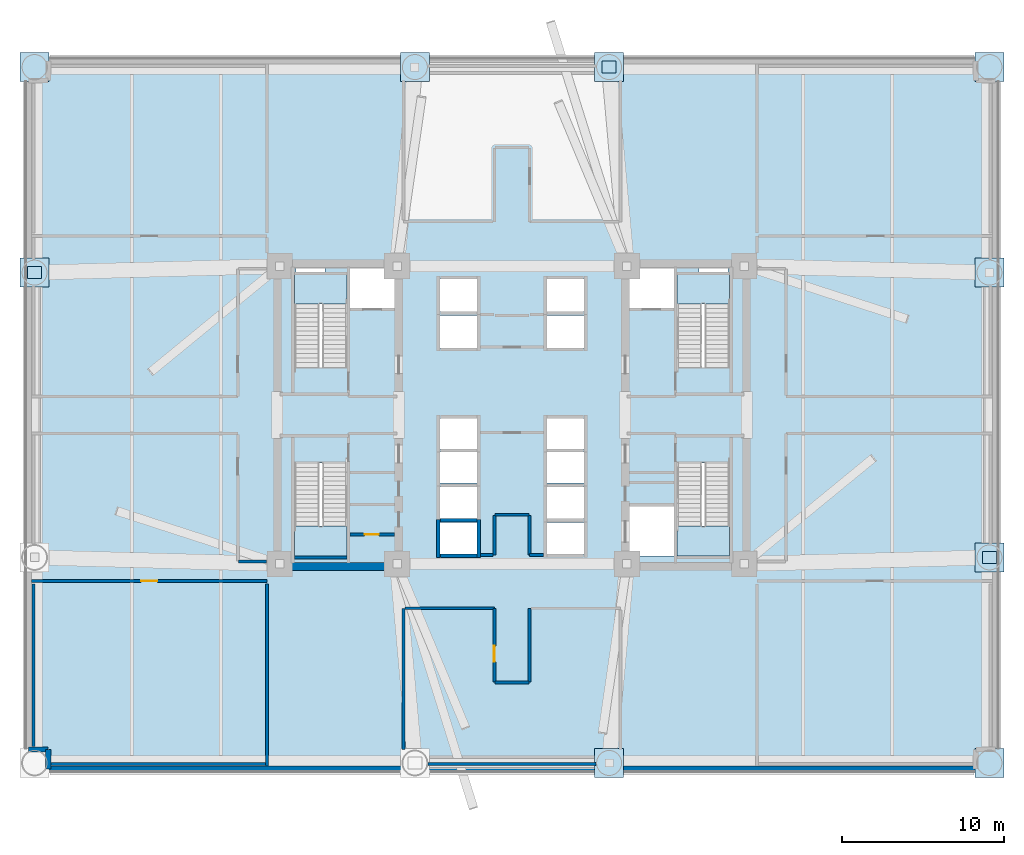
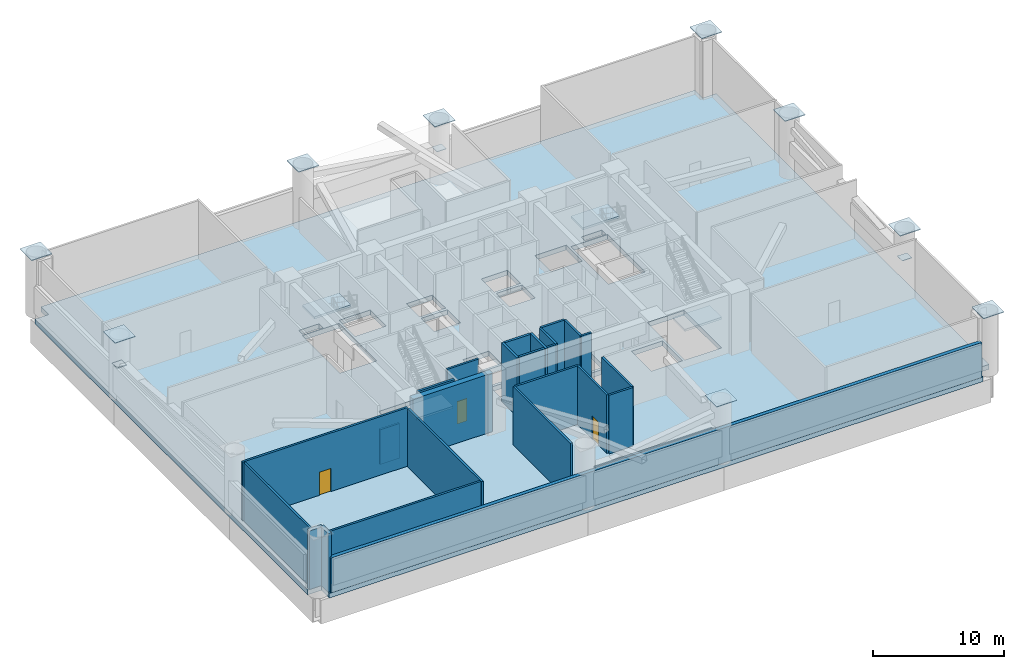
# One storey, part 2 of 10: 26 walls, 12 plates, 5 slabs, 3 doors, 3 openings, 4 elements without a shape of their own.
"""IFC4 building model written with IfcOpenShell, lengths in metres."""

import ifcopenshell
import ifcopenshell.guid

model = None  # the IFC model being written
_history = None  # IfcOwnerHistory: only IFC2X3 demands one
_inside = {}  # id of a spatial element -> (the spatial element, [elements in it])
_under = {}  # id of a project, library or spatial element -> (it, [spatial elements below it])
_declared = {}  # id of a project -> (the project, [libraries it declares])
_typed = {}  # id of a type object -> (the type object, [elements of that type])
_made_of = {}  # id of a material, layer set ... -> (it, [elements and type objects made of it])


def new_model(schema):
    """Start an empty IFC model of exactly this schema.

    Asked for "IFC4X3", IfcOpenShell would pick the latest addendum, in which some entities
    have other attributes; the version numbers below select the first issue.
    IFC2X3 requires an IfcOwnerHistory on every rooted entity: one is made here for all.
    """
    global model, _history
    if schema == "IFC4X3":
        model = ifcopenshell.file(schema_version=(4, 3, 0, 0))
    else:
        model = ifcopenshell.file(schema=schema)
    _inside.clear()
    _under.clear()
    _declared.clear()
    _typed.clear()
    _made_of.clear()
    _history = None
    if model.schema == "IFC2X3":
        org = make("IfcOrganization", Name="unknown")
        user = make(
            "IfcPersonAndOrganization",
            ThePerson=make("IfcPerson", FamilyName="unknown"),
            TheOrganization=org,
        )
        app = make(
            "IfcApplication",
            ApplicationDeveloper=org,
            Version="unknown",
            ApplicationFullName="unknown",
            ApplicationIdentifier="unknown",
        )
        _history = make(
            "IfcOwnerHistory",
            OwningUser=user,
            OwningApplication=app,
            ChangeAction="ADDED",
            CreationDate=0,
        )
    return model


def make(cls, **values):
    """One entity of the class cls with the attributes given. An attribute that is None is left unset."""
    return model.create_entity(
        cls, **{name: value for name, value in values.items() if value is not None}
    )


def rooted(cls, **values):
    """An entity with a GlobalId (a new one), such as an element, a storey or a relation."""
    return make(cls, GlobalId=ifcopenshell.guid.new(), OwnerHistory=_history, **values)


def si_unit(unit_type, name, prefix=None):
    """IfcSIUnit, for example si_unit("LENGTHUNIT", "METRE", prefix="MILLI")."""
    return make("IfcSIUnit", UnitType=unit_type, Prefix=prefix, Name=name)


def assignment(units):
    """IfcUnitAssignment: the units of a project."""
    return None if units is None else make("IfcUnitAssignment", Units=units)


def point(xyz):
    """IfcCartesianPoint."""
    return None if xyz is None else make("IfcCartesianPoint", Coordinates=xyz)


def direction(xyz):
    """IfcDirection."""
    return None if xyz is None else make("IfcDirection", DirectionRatios=xyz)


def frame(location, z_axis=None, x_axis=None):
    """IfcAxis2Placement3D, a coordinate frame: its origin and axes. An axis left out is left unset."""
    return make(
        "IfcAxis2Placement3D",
        Location=point(location),
        Axis=direction(z_axis),
        RefDirection=direction(x_axis),
    )


def frame_2d(location, x_axis=None):
    """IfcAxis2Placement2D, a coordinate frame in the plane: its origin and x axis."""
    return make(
        "IfcAxis2Placement2D", Location=point(location), RefDirection=direction(x_axis)
    )


def origin():
    """The frame at (0, 0, 0) with its axes left unset."""
    return frame((0.0, 0.0, 0.0))


def origin_2d():
    """The frame at (0, 0) in the plane with its x axis left unset."""
    return frame_2d((0.0, 0.0))


def place(relative_to, where):
    """IfcLocalPlacement: puts the frame where relative to a parent placement (None: the world)."""
    return make(
        "IfcLocalPlacement", PlacementRelTo=relative_to, RelativePlacement=where
    )


def context(
    kind, dimensions, precision=None, world=None, true_north=None, identifier=None
):
    """IfcGeometricRepresentationContext, for example the 3D "Model" context."""
    return make(
        "IfcGeometricRepresentationContext",
        ContextIdentifier=identifier,
        ContextType=kind,
        CoordinateSpaceDimension=dimensions,
        Precision=precision,
        WorldCoordinateSystem=world,
        TrueNorth=true_north,
    )


def subcontext(parent, identifier, kind, view, scale=None):
    """IfcGeometricRepresentationSubContext, for example "Body" below "Model"."""
    return make(
        "IfcGeometricRepresentationSubContext",
        ContextIdentifier=identifier,
        ContextType=kind,
        ParentContext=parent,
        TargetScale=scale,
        TargetView=view,
    )


def project(units=None, contexts=None):
    """IfcProject with its units and contexts."""
    return rooted(
        "IfcProject",
        Name="project",
        RepresentationContexts=contexts,
        UnitsInContext=assignment(units),
    )


def spatial(cls, under=None, at=None, **own):
    """A site, building, storey or space (cls), placed at a placement, below another one or the project."""
    s = rooted(cls, ObjectPlacement=at, **own)
    if under is not None:
        _under.setdefault(under.id(), (under, []))[1].append(s)
    return s


def polyline(points):
    """IfcPolyline through the points."""
    return make("IfcPolyline", Points=[point(p) for p in points])


def profile(cls, at=None, kind="AREA", **sizes):
    """A parametric profile (cls). Its sizes go by their IFC names, for example OverallWidth=200.0."""
    return make(cls, ProfileType=kind, Position=at, **sizes)


def rectangle(**sizes):
    """IfcRectangleProfileDef."""
    return profile("IfcRectangleProfileDef", **sizes)


def outline(outer, holes=None, kind="AREA"):
    """IfcArbitraryClosedProfileDef: a profile drawn as a closed curve; with holes, ...WithVoids."""
    if holes is None:
        return make("IfcArbitraryClosedProfileDef", ProfileType=kind, OuterCurve=outer)
    return make(
        "IfcArbitraryProfileDefWithVoids",
        ProfileType=kind,
        OuterCurve=outer,
        InnerCurves=holes,
    )


def extrude(swept, where, along, depth):
    """IfcExtrudedAreaSolid: the profile swept, set in the frame where, extruded along a direction by depth."""
    return make(
        "IfcExtrudedAreaSolid",
        SweptArea=swept,
        Position=where,
        ExtrudedDirection=direction(along),
        Depth=depth,
    )


def shape(context_of_items, identifier, shape_type, items):
    """IfcShapeRepresentation: the items that make up one representation, for example the "Body"."""
    return make(
        "IfcShapeRepresentation",
        ContextOfItems=context_of_items,
        RepresentationIdentifier=identifier,
        RepresentationType=shape_type,
        Items=items,
    )


def source(mapping_origin, context_of_items, identifier, shape_type, items):
    """IfcRepresentationMap: a shape defined once, which mapped items show again and again."""
    return make(
        "IfcRepresentationMap",
        MappingOrigin=mapping_origin,
        MappedRepresentation=shape(context_of_items, identifier, shape_type, items),
    )


def transform(
    local_origin,
    x_axis=None,
    y_axis=None,
    z_axis=None,
    scale=None,
    scale2=None,
    scale3=None,
    uniform=True,
):
    """IfcCartesianTransformationOperator3D, or its non-uniform kind. x_axis, y_axis, z_axis: its Axis1, 2, 3."""
    if uniform:
        return make(
            "IfcCartesianTransformationOperator3D",
            Axis1=direction(x_axis),
            Axis2=direction(y_axis),
            LocalOrigin=point(local_origin),
            Scale=scale,
            Axis3=direction(z_axis),
        )
    return make(
        "IfcCartesianTransformationOperator3DnonUniform",
        Axis1=direction(x_axis),
        Axis2=direction(y_axis),
        LocalOrigin=point(local_origin),
        Scale=scale,
        Axis3=direction(z_axis),
        Scale2=scale2,
        Scale3=scale3,
    )


def mapped(mapping_source, mapping_target):
    """IfcMappedItem: shows the shape of a source again, moved by a transform."""
    return make(
        "IfcMappedItem", MappingSource=mapping_source, MappingTarget=mapping_target
    )


def material(Name=None, Category=None):
    """IfcMaterial."""
    return make("IfcMaterial", Name=Name, Category=Category)


def layer(
    of_material, thickness, ventilated=None, Name=None, Category=None, Priority=None
):
    """IfcMaterialLayer: one layer of a wall or slab, of a material (None: an air gap)."""
    return make(
        "IfcMaterialLayer",
        Material=of_material,
        LayerThickness=thickness,
        IsVentilated=ventilated,
        Name=Name,
        Category=Category,
        Priority=Priority,
    )


def layer_set(layers, Name=None):
    """IfcMaterialLayerSet."""
    return make("IfcMaterialLayerSet", MaterialLayers=layers, LayerSetName=Name)


def made_of(thing, what):
    """Note that an element or type object is made of a material, layer set ...; save() writes the relation."""
    if what is not None:
        _made_of.setdefault(what.id(), (what, []))[1].append(thing)
    return thing


def type_object(cls, material=None, **own):
    """A type object (cls), such as IfcWallType, which elements share."""
    return made_of(rooted(cls, **own), material)


def element(
    cls,
    number,
    at=None,
    inside=None,
    cuts=None,
    type_object=None,
    material=None,
    context=None,
    identifier="Body",
    shape_type=None,
    held_by="IfcProductDefinitionShape",
    body=None,
    shapes=None,
    **own,
):
    """One element of the class cls, such as IfcWall. Its Tag is "e" and its number.

    at: its placement. inside: the storey or other place that contains it. cuts: it is an
    opening in that element (IfcRelVoidsElement). A single representation is given by context,
    identifier, shape_type and body (its items); several are given by shapes. held_by: the class
    of the entity that holds the representations. save() writes the other relations.
    """
    e = rooted(cls, Tag="e%d" % number, ObjectPlacement=at, **own)
    if body is not None:
        shapes = [shape(context, identifier, shape_type, body)]
    if shapes is not None:
        e.Representation = make(held_by, Representations=shapes)
    if inside is not None:
        _inside.setdefault(inside.id(), (inside, []))[1].append(e)
    if cuts is not None:
        rooted(
            "IfcRelVoidsElement", RelatingBuildingElement=cuts, RelatedOpeningElement=e
        )
    if type_object is not None:
        _typed.setdefault(type_object.id(), (type_object, []))[1].append(e)
    return made_of(e, material)


def fill(opening, filler):
    """IfcRelFillsElement: the door or window that sits in an opening."""
    return rooted(
        "IfcRelFillsElement",
        RelatingOpeningElement=opening,
        RelatedBuildingElement=filler,
    )


def aggregate(whole, parts):
    """IfcRelAggregates: a whole, such as a stair, and the parts it consists of."""
    return rooted("IfcRelAggregates", RelatingObject=whole, RelatedObjects=parts)


def save(model, path):
    """Write the relations noted so far, then the file.

    IfcRelAggregates (storeys below a building ...), IfcRelContainedInSpatialStructure (elements
    in a storey), IfcRelDefinesByType, IfcRelAssociatesMaterial and IfcRelDeclares: one each for
    every whole, place, type object, material and project.
    """
    for whole, parts in _under.values():
        aggregate(whole, parts)
    for where, things in _inside.values():
        rooted(
            "IfcRelContainedInSpatialStructure",
            RelatedElements=things,
            RelatingStructure=where,
        )
    for kind, things in _typed.values():
        rooted("IfcRelDefinesByType", RelatedObjects=things, RelatingType=kind)
    for what, things in _made_of.values():
        rooted("IfcRelAssociatesMaterial", RelatedObjects=things, RelatingMaterial=what)
    for by, libraries in _declared.values():
        rooted("IfcRelDeclares", RelatingContext=by, RelatedDefinitions=libraries)
    model.write(path)


model = new_model("IFC4")

# Units and contexts
model_context = context("Model", 3, precision=1e-05, world=origin(), true_north=direction((0.0, 1.0)))
body_context = subcontext(model_context, "Body", "Model", "MODEL_VIEW")
ifc_project = project(units=[si_unit("LENGTHUNIT", "METRE"), si_unit("AREAUNIT", "SQUARE_METRE"), si_unit("VOLUMEUNIT", "CUBIC_METRE"), si_unit("PLANEANGLEUNIT", "RADIAN"), si_unit("MASSUNIT", "GRAM", prefix="KILO")], contexts=[model_context])

# Site, building, storey
site_placement = place(None, origin())
site = spatial("IfcSite", under=ifc_project, at=site_placement, CompositionType="ELEMENT")
building_placement = place(site_placement, origin())
building = spatial("IfcBuilding", under=site, at=building_placement, Name="Zahravan Cultural Tower", CompositionType="ELEMENT")
storey_placement = place(building_placement, frame((0.0, 0.0, 23.39990234375)))
storey = spatial("IfcBuildingStorey", under=building, at=storey_placement, Name="L04", CompositionType="ELEMENT", Elevation=23.39990234375)

# Stair, slab
ifc_material_1 = material(Name="Concrete C45/55", Category="concrete")
stair_type = type_object("IfcStairType", Name="STR-DL-1550-570", PredefinedType="HALF_TURN_STAIR", material=ifc_material_1)
stair_1_placement = place(storey_placement, origin())
stair_1 = element("IfcStair", 1, at=stair_1_placement, inside=storey, type_object=stair_type, Name="L04 West Core North Exit Stair ST-W1", PredefinedType="HALF_TURN_STAIR")
ifc_layer_1 = layer(ifc_material_1, 0.199951171875)
ifc_layer_set_1 = layer_set([ifc_layer_1], Name="Concrete C45/55")
slab_type_1 = type_object("IfcSlabType", Name="SL-STAIR-LND200", PredefinedType="LANDING", material=ifc_layer_set_1)
slab_1_placement = place(storey_placement, frame((0.0, 0.0, 2.650146484375)))
slab_1 = element("IfcSlab", 2, at=slab_1_placement, type_object=slab_type_1, Name="ST-W1 landing 1", PredefinedType="LANDING", context=body_context, shape_type="SweptSolid", body=[
    extrude(outline(polyline([(25.800048828125, 33.8701171875), (25.800048828125, 35.699951171875), (22.550048828125, 35.699951171875), (22.550048828125, 33.8701171875), (25.800048828125, 33.8701171875)])), origin(), (0.0, 0.0, 1.0), 0.199951171875),
])
aggregate(stair_1, [slab_1])

stair_2_placement = place(storey_placement, origin())
stair_2 = element("IfcStair", 3, at=stair_2_placement, inside=storey, type_object=stair_type, Name="L04 West Core South Exit Stair ST-W2", PredefinedType="HALF_TURN_STAIR")
slab_2_placement = place(storey_placement, frame((0.0, 0.0, 2.650146484375)))
slab_2 = element("IfcSlab", 4, at=slab_2_placement, type_object=slab_type_1, Name="ST-W2 landing 1", PredefinedType="LANDING", context=body_context, shape_type="SweptSolid", body=[
    extrude(outline(polyline([(22.550048828125, 20.1298828125), (22.550048828125, 18.300048828125), (25.800048828125, 18.300048828125), (25.800048828125, 20.1298828125), (22.550048828125, 20.1298828125)])), origin(), (0.0, 0.0, 1.0), 0.199951171875),
])
aggregate(stair_2, [slab_2])

stair_3_placement = place(storey_placement, origin())
stair_3 = element("IfcStair", 5, at=stair_3_placement, inside=storey, type_object=stair_type, Name="L04 East Core North Exit Stair ST-E1", PredefinedType="HALF_TURN_STAIR")
slab_3_placement = place(storey_placement, frame((0.0, 0.0, 2.650146484375)))
slab_3 = element("IfcSlab", 6, at=slab_3_placement, type_object=slab_type_1, Name="ST-E1 landing 1", PredefinedType="LANDING", context=body_context, shape_type="SweptSolid", body=[
    extrude(outline(polyline([(49.449951171875, 33.8701171875), (49.449951171875, 35.699951171875), (46.199951171875, 35.699951171875), (46.199951171875, 33.8701171875), (49.449951171875, 33.8701171875)])), origin(), (0.0, 0.0, 1.0), 0.199951171875),
])
aggregate(stair_3, [slab_3])

stair_4_placement = place(storey_placement, origin())
stair_4 = element("IfcStair", 7, at=stair_4_placement, inside=storey, type_object=stair_type, Name="L04 East Core South Exit Stair ST-E2", PredefinedType="HALF_TURN_STAIR")
slab_4_placement = place(storey_placement, frame((0.0, 0.0, 2.650146484375)))
slab_4 = element("IfcSlab", 8, at=slab_4_placement, type_object=slab_type_1, Name="ST-E2 landing 1", PredefinedType="LANDING", context=body_context, shape_type="SweptSolid", body=[
    extrude(outline(polyline([(46.199951171875, 20.1298828125), (46.199951171875, 18.300048828125), (49.449951171875, 18.300048828125), (49.449951171875, 20.1298828125), (46.199951171875, 20.1298828125)])), origin(), (0.0, 0.0, 1.0), 0.199951171875),
])
aggregate(stair_4, [slab_4])

# Slab
ifc_material_2 = material(Name="Concrete C50/60", Category="concrete")
ifc_layer_2 = layer(ifc_material_2, 0.449951171875)
ifc_layer_set_2 = layer_set([ifc_layer_2], Name="Concrete C50/60")
slab_type_2 = type_object("IfcSlabType", Name="SL-TRANS-450", PredefinedType="FLOOR", material=ifc_layer_set_2)
slab_5_placement = place(storey_placement, frame((0.0, 0.0, -0.449951171875)))
element("IfcSlab", 9, at=slab_5_placement, inside=storey, type_object=slab_type_2, Name="L04 Structural Floor Slab", PredefinedType="FLOOR", context=body_context, shape_type="SweptSolid", body=[
    extrude(outline(polyline([(66.0, 47.800048828125), (64.800048828125, 47.800048828125), (64.800048828125, 49.0), (7.199951171875, 49.0), (7.199951171875, 47.800048828125), (6.0, 47.800048828125), (6.0, 6.199951171875), (7.199951171875, 6.199951171875), (7.199951171875, 5.0), (64.800048828125, 5.0), (64.800048828125, 6.199951171875), (66.0, 6.199951171875), (66.0, 47.800048828125)]), holes=[polyline([(22.550048828125, 29.949951171875), (22.550048828125, 35.699951171875), (25.800048828125, 35.699951171875), (25.800048828125, 29.949951171875), (22.550048828125, 29.949951171875)]), polyline([(22.550048828125, 18.300048828125), (22.550048828125, 24.050048828125), (25.800048828125, 24.050048828125), (25.800048828125, 18.300048828125), (22.550048828125, 18.300048828125)]), polyline([(46.199951171875, 29.949951171875), (46.199951171875, 35.699951171875), (49.449951171875, 35.699951171875), (49.449951171875, 29.949951171875), (46.199951171875, 29.949951171875)]), polyline([(46.199951171875, 18.300048828125), (46.199951171875, 24.050048828125), (49.449951171875, 24.050048828125), (49.449951171875, 18.300048828125), (46.199951171875, 18.300048828125)]), polyline([(26.0, 33.60009765625), (26.0, 36.050048828125), (28.75, 36.050048828125), (28.75, 33.60009765625), (26.0, 33.60009765625)]), polyline([(43.25, 33.60009765625), (43.25, 36.050048828125), (46.0, 36.050048828125), (46.0, 33.60009765625), (43.25, 33.60009765625)]), polyline([(43.25, 18.300048828125), (43.25, 21.35009765625), (46.0, 21.35009765625), (46.0, 18.300048828125), (43.25, 18.300048828125)]), polyline([(31.550048828125, 33.39990234375), (31.550048828125, 35.39990234375), (33.85009765625, 35.39990234375), (33.85009765625, 33.39990234375), (31.550048828125, 33.39990234375)]), polyline([(31.550048828125, 31.14990234375), (31.550048828125, 33.14990234375), (33.85009765625, 33.14990234375), (33.85009765625, 31.14990234375), (31.550048828125, 31.14990234375)]), polyline([(38.14990234375, 33.39990234375), (38.14990234375, 35.39990234375), (40.449951171875, 35.39990234375), (40.449951171875, 33.39990234375), (38.14990234375, 33.39990234375)]), polyline([(38.14990234375, 31.14990234375), (38.14990234375, 33.14990234375), (40.449951171875, 33.14990234375), (40.449951171875, 31.14990234375), (38.14990234375, 31.14990234375)]), polyline([(31.550048828125, 20.60009765625), (31.550048828125, 22.550048828125), (33.85009765625, 22.550048828125), (33.85009765625, 20.60009765625), (31.550048828125, 20.60009765625)]), polyline([(31.550048828125, 18.39990234375), (31.550048828125, 20.35009765625), (33.85009765625, 20.35009765625), (33.85009765625, 18.39990234375), (31.550048828125, 18.39990234375)]), polyline([(38.14990234375, 20.60009765625), (38.14990234375, 22.550048828125), (40.449951171875, 22.550048828125), (40.449951171875, 20.60009765625), (38.14990234375, 20.60009765625)]), polyline([(38.14990234375, 18.39990234375), (38.14990234375, 20.35009765625), (40.449951171875, 20.35009765625), (40.449951171875, 18.39990234375), (38.14990234375, 18.39990234375)]), polyline([(31.550048828125, 24.89990234375), (31.550048828125, 26.800048828125), (33.85009765625, 26.800048828125), (33.85009765625, 24.89990234375), (31.550048828125, 24.89990234375)]), polyline([(31.550048828125, 22.800048828125), (31.550048828125, 24.699951171875), (33.85009765625, 24.699951171875), (33.85009765625, 22.800048828125), (31.550048828125, 22.800048828125)]), polyline([(38.14990234375, 24.89990234375), (38.14990234375, 26.800048828125), (40.449951171875, 26.800048828125), (40.449951171875, 24.89990234375), (38.14990234375, 24.89990234375)]), polyline([(38.14990234375, 22.800048828125), (38.14990234375, 24.699951171875), (40.449951171875, 24.699951171875), (40.449951171875, 22.800048828125), (38.14990234375, 22.800048828125)]), polyline([(22.64990234375, 35.800048828125), (22.64990234375, 36.419921875), (24.449951171875, 36.419921875), (24.449951171875, 35.800048828125), (22.64990234375, 35.800048828125)]), polyline([(47.550048828125, 35.800048828125), (47.550048828125, 36.419921875), (49.35009765625, 36.419921875), (49.35009765625, 35.800048828125), (47.550048828125, 35.800048828125)])]), origin(), (0.0, 0.0, 1.0), 0.449951171875),
])

# Plates
ifc_material_3 = material(Name="Steel ASTM A572 Grade 50", Category="steel")
ifc_layer_3 = layer(ifc_material_3, 0.06005859375)
ifc_layer_set_3 = layer_set([ifc_layer_3], Name="Steel ASTM A572 Grade 50")
plate_type_1 = type_object("IfcPlateType", Name="PL-CAP-1800", PredefinedType="SHEET", material=ifc_layer_set_3)
shared_shape_1 = source(origin(), body_context, "Body", "SweptSolid", [
    extrude(rectangle(XDim=1.800048828125, YDim=1.800048828125, at=origin_2d()), origin(), (0.0, 0.0, 1.0), 0.06005859375),
])
for number, where, z_axis, x_axis, name in (
    (10, (42.0, 5.5, 5.670166015625), (0.0, 0.0, 1.0), (1.0, 0.0, 0.0), "L04 Pilotis Column Top Cap Plate PC-03"),
    (11, (65.5, 5.5, 5.670166015625), (0.0, 0.0, 1.0), (1.0, 0.0, 0.0), "L04 Pilotis Column Top Cap Plate PC-04"),
    (12, (65.5, 18.199951171875, 5.670166015625), (0.0, 0.0, 1.0), (1.0, 0.0, 0.0), "L04 Pilotis Column Top Cap Plate PC-06"),
    (13, (6.5, 35.800048828125, 5.670166015625), (0.0, 0.0, 1.0), (1.0, 0.0, 0.0), "L04 Pilotis Column Top Cap Plate PC-07"),
    (14, (65.5, 35.800048828125, 5.670166015625), (0.0, 0.0, 1.0), (1.0, 0.0, 0.0), "L04 Pilotis Column Top Cap Plate PC-08"),
    (15, (6.5, 48.5, 5.670166015625), (0.0, 0.0, 1.0), (1.0, 0.0, 0.0), "L04 Pilotis Column Top Cap Plate PC-09"),
    (16, (30.0, 48.5, 5.670166015625), (0.0, 0.0, 1.0), (1.0, 0.0, 0.0), "L04 Pilotis Column Top Cap Plate PC-10"),
    (17, (42.0, 48.5, 5.670166015625), (0.0, 0.0, 1.0), (1.0, 0.0, 0.0), "L04 Pilotis Column Top Cap Plate PC-11"),
    (18, (65.5, 48.5, 5.670166015625), (0.0, 0.0, 1.0), (1.0, 0.0, 0.0), "L04 Pilotis Column Top Cap Plate PC-12"),
):
    element("IfcPlate", number, at=place(storey_placement, frame(where, z_axis=z_axis, x_axis=x_axis)), inside=storey, type_object=plate_type_1, Name=name, PredefinedType="SHEET", context=body_context, shape_type="MappedRepresentation", body=[
        mapped(shared_shape_1, transform((0.0, 0.0, 0.0), x_axis=(1.0, 0.0, 0.0), y_axis=(0.0, 1.0, 0.0), z_axis=(0.0, 0.0, 1.0), scale=1.0)),
    ])
ifc_layer_4 = layer(ifc_material_3, 0.044921875)
ifc_layer_set_4 = layer_set([ifc_layer_4], Name="Steel ASTM A572 Grade 50")
plate_type_2 = type_object("IfcPlateType", Name="PL-NODE-45", PredefinedType="SHEET", material=ifc_layer_set_4)
shared_shape_2 = source(origin(), body_context, "Body", "SweptSolid", [
    extrude(rectangle(XDim=0.85009765625, YDim=0.75, at=origin_2d()), origin(), (0.0, 0.0, 1.0), 0.044921875),
])
for number, where, z_axis, x_axis, name in (
    (19, (65.5, 18.199951171875, 2.877685546875), (0.0, 0.0, 1.0), (1.0, 0.0, 0.0), "L04 Belt Node Cap Plate ON1"),
    (20, (42.0, 48.5, 2.877685546875), (0.0, 0.0, 1.0), (1.0, 0.0, 0.0), "L04 Belt Node Cap Plate ON1"),
    (21, (6.5, 35.800048828125, 2.877685546875), (0.0, 0.0, 1.0), (1.0, 0.0, 0.0), "L04 Belt Node Cap Plate ON1"),
):
    element("IfcPlate", number, at=place(storey_placement, frame(where, z_axis=z_axis, x_axis=x_axis)), inside=storey, type_object=plate_type_2, Name=name, PredefinedType="SHEET", context=body_context, shape_type="MappedRepresentation", body=[
        mapped(shared_shape_2, transform((0.0, 0.0, 0.0), x_axis=(1.0, 0.0, 0.0), y_axis=(0.0, 1.0, 0.0), z_axis=(0.0, 0.0, 1.0), scale=1.0)),
    ])

# Wall, opening, door
ifc_material_4 = material(Name="Gypsum plasterboard partition")
ifc_layer_5 = layer(ifc_material_4, 0.179931640625)
ifc_layer_set_5 = layer_set([ifc_layer_5], Name="Gypsum plasterboard partition")
wall_type_1 = type_object("IfcWallType", Name="W-COMP-180", PredefinedType="PARTITIONING", material=ifc_layer_set_5)
wall_1_placement = place(storey_placement, frame((26.0, 19.6201171875, 0.0), z_axis=(0.0, 0.0, 1.0), x_axis=(1.0, 0.0, 0.0)))
wall_1 = element("IfcWall", 22, at=wall_1_placement, inside=storey, type_object=wall_type_1, Name="L04 Interior Wall 026", PredefinedType="PARTITIONING", context=body_context, shape_type="SweptSolid", body=[
    extrude(rectangle(XDim=2.75, YDim=0.179931640625, at=frame_2d((1.375, 0.0))), origin(), (0.0, 0.0, 1.0), 5.4501953125),
])
opening_1_placement = place(wall_1_placement, frame((0.89990234375, 0.0, 0.0)))
opening_1 = element("IfcOpeningElement", 23, at=opening_1_placement, cuts=wall_1, Name="Opening D-L04-09", PredefinedType="OPENING", context=body_context, shape_type="SweptSolid", body=[
    extrude(rectangle(XDim=0.8798828125, YDim=2.10009765625, at=frame_2d((0.43994140625, 1.050048828125))), frame((0.0, 0.099853515625, 0.0), z_axis=(0.0, -1.0, 0.0), x_axis=(1.0, 0.0, 0.0)), (0.0, 0.0, 1.0), 0.199951171875),
])
door_type_1 = type_object("IfcDoorType", Name="DR-SVC-880", OperationType="NOTDEFINED", PredefinedType="DOOR", material=ifc_material_3)
shared_shape_3 = source(origin(), body_context, "Body", "SweptSolid", [
    extrude(rectangle(XDim=0.8798828125, YDim=2.10009765625, at=frame_2d((0.43994140625, 1.050048828125))), frame((0.0, 0.02490234375, 0.0), z_axis=(0.0, -1.0, 0.0), x_axis=(1.0, 0.0, 0.0)), (0.0, 0.0, 1.0), 0.050048828125),
])
door_1_placement = place(opening_1_placement, origin())
door_1 = element("IfcDoor", 24, at=door_1_placement, inside=storey, type_object=door_type_1, Name="L04 Door D-L04-09", OperationType="SINGLE_SWING_RIGHT", OverallHeight=2.10009765625, OverallWidth=0.8798828125, PredefinedType="DOOR", context=body_context, shape_type="MappedRepresentation", body=[
    mapped(shared_shape_3, transform((0.0, 0.0, 0.0), x_axis=(1.0, 0.0, 0.0), y_axis=(0.0, 1.0, 0.0), z_axis=(0.0, 0.0, 1.0), scale=1.0)),
])
fill(opening_1, door_1)

wall_2_placement = place(storey_placement, frame((20.860107421875, 16.739990234375, 0.0), z_axis=(0.0, 0.0, 1.0), x_axis=(-1.0, 0.0, 0.0)))
wall_2 = element("IfcWall", 25, at=wall_2_placement, inside=storey, type_object=wall_type_1, Name="L04 Interior Wall 082", PredefinedType="PARTITIONING", context=body_context, shape_type="SweptSolid", body=[
    extrude(rectangle(XDim=14.55517578125, YDim=0.179931640625, at=frame_2d((7.277587890625, 0.0))), origin(), (0.0, 0.0, 1.0), 5.4501953125),
])
opening_2_placement = place(wall_2_placement, frame((6.777587890625, 0.0, 0.0)))
opening_2 = element("IfcOpeningElement", 26, at=opening_2_placement, cuts=wall_2, Name="Opening D-L04-21", PredefinedType="OPENING", context=body_context, shape_type="SweptSolid", body=[
    extrude(rectangle(XDim=1.0, YDim=2.14990234375, at=frame_2d((0.5, 1.074951171875))), frame((0.0, 0.099853515625, 0.0), z_axis=(0.0, -1.0, 0.0), x_axis=(1.0, 0.0, 0.0)), (0.0, 0.0, 1.0), 0.199951171875),
])
door_type_2 = type_object("IfcDoorType", Name="DR-COMP-1000", OperationType="NOTDEFINED", PredefinedType="DOOR", material=ifc_material_3)
shared_shape_4 = source(origin(), body_context, "Body", "SweptSolid", [
    extrude(rectangle(XDim=1.0, YDim=2.14990234375, at=frame_2d((0.5, 1.074951171875))), frame((0.0, 0.02490234375, 0.0), z_axis=(0.0, -1.0, 0.0), x_axis=(1.0, 0.0, 0.0)), (0.0, 0.0, 1.0), 0.050048828125),
])
door_2_placement = place(opening_2_placement, origin())
door_2 = element("IfcDoor", 27, at=door_2_placement, inside=storey, type_object=door_type_2, Name="L04 Door D-L04-21", OperationType="SINGLE_SWING_RIGHT", OverallHeight=2.14990234375, OverallWidth=1.0, PredefinedType="DOOR", context=body_context, shape_type="MappedRepresentation", body=[
    mapped(shared_shape_4, transform((0.0, 0.0, 0.0), x_axis=(1.0, 0.0, 0.0), y_axis=(0.0, 1.0, 0.0), z_axis=(0.0, 0.0, 1.0), scale=1.0)),
])
fill(opening_2, door_2)

wall_3_placement = place(storey_placement, frame((34.909912109375, 15.06005859375, 0.0), z_axis=(0.0, 0.0, 1.0), x_axis=(0.0, -1.0, 0.0)))
wall_3 = element("IfcWall", 28, at=wall_3_placement, inside=storey, type_object=wall_type_1, Name="L04 Interior Wall 099", PredefinedType="PARTITIONING", context=body_context, shape_type="SweptSolid", body=[
    extrude(rectangle(XDim=4.55419921875, YDim=0.179931640625, at=frame_2d((2.277099609375, 0.0))), origin(), (0.0, 0.0, 1.0), 5.4501953125),
])
opening_3_placement = place(wall_3_placement, frame((2.317626953125, 0.0, 0.0)))
opening_3 = element("IfcOpeningElement", 29, at=opening_3_placement, cuts=wall_3, Name="Opening D-L04-14", PredefinedType="OPENING", context=body_context, shape_type="SweptSolid", body=[
    extrude(rectangle(XDim=1.0, YDim=2.14990234375, at=frame_2d((0.5, 1.074951171875))), frame((0.0, 0.099853515625, 0.0), z_axis=(0.0, -1.0, 0.0), x_axis=(1.0, 0.0, 0.0)), (0.0, 0.0, 1.0), 0.199951171875),
])
door_3_placement = place(opening_3_placement, origin())
door_3 = element("IfcDoor", 30, at=door_3_placement, inside=storey, type_object=door_type_2, Name="L04 Door D-L04-14", OperationType="SINGLE_SWING_LEFT", OverallHeight=2.14990234375, OverallWidth=1.0, PredefinedType="DOOR", context=body_context, shape_type="MappedRepresentation", body=[
    mapped(shared_shape_4, transform((0.0, 0.0, 0.0), x_axis=(1.0, 0.0, 0.0), y_axis=(0.0, 1.0, 0.0), z_axis=(0.0, 0.0, 1.0), scale=1.0)),
])
fill(opening_3, door_3)

# Walls
ifc_material_5 = material(Name="Concrete C60/75", Category="concrete")
ifc_layer_6 = layer(ifc_material_5, 0.5)
ifc_layer_set_6 = layer_set([ifc_layer_6], Name="Concrete C60/75")
wall_type_2 = type_object("IfcWallType", Name="CW-SHEAR-500-C60", PredefinedType="SHEAR", material=ifc_layer_set_6)
shared_shape_5 = source(origin(), body_context, "Body", "SweptSolid", [
    extrude(rectangle(XDim=7.0, YDim=0.5, at=frame_2d((3.5, 0.0))), origin(), (0.0, 0.0, 1.0), 5.4501953125),
])
wall_4_placement = place(storey_placement, frame((21.75, 17.64990234375, 0.0), z_axis=(0.0, 0.0, 1.0), x_axis=(1.0, 0.0, 0.0)))
element("IfcWall", 31, at=wall_4_placement, inside=storey, type_object=wall_type_2, Name="L04 Core Shear Wall CW-W-S-L04", PredefinedType="SHEAR", context=body_context, shape_type="MappedRepresentation", body=[
    mapped(shared_shape_5, transform((0.0, 0.0, 0.0), x_axis=(1.0, 0.0, 0.0), y_axis=(0.0, 1.0, 0.0), z_axis=(0.0, 0.0, 1.0), scale=1.0)),
])
ifc_material_6 = material(Name="Precast concrete C40/50", Category="concrete")
ifc_layer_7 = layer(ifc_material_6, 0.320068359375)
ifc_layer_set_7 = layer_set([ifc_layer_7], Name="Precast concrete C40/50")
wall_type_3 = type_object("IfcWallType", Name="EW-TC-320", PredefinedType="SOLIDWALL", material=ifc_layer_set_7)
shared_shape_6 = source(origin(), body_context, "Body", "SweptSolid", [
    extrude(rectangle(XDim=1.2001953125, YDim=0.320068359375, at=frame_2d((0.60009765625, 0.0))), origin(), (0.0, 0.0, 1.0), 5.4501953125),
])
for number, where, z_axis, x_axis, name in (
    (32, (7.340087890625, 5.139892578125, 0.0), (0.0, 0.0, 1.0), (0.0, 1.0, 0.0), "L04 Exterior Masonry Frame Wall 05"),
    (33, (7.340087890625, 6.340087890625, 0.0), (0.0, 0.0, 1.0), (-1.0, 0.0, 0.0), "L04 Exterior Masonry Frame Wall 06"),
):
    element("IfcWall", number, at=place(storey_placement, frame(where, z_axis=z_axis, x_axis=x_axis)), inside=storey, type_object=wall_type_3, Name=name, PredefinedType="SOLIDWALL", context=body_context, shape_type="MappedRepresentation", body=[
        mapped(shared_shape_6, transform((0.0, 0.0, 0.0), x_axis=(1.0, 0.0, 0.0), y_axis=(0.0, 1.0, 0.0), z_axis=(0.0, 0.0, 1.0), scale=1.0)),
    ])
shared_shape_7 = source(origin(), body_context, "Body", "SweptSolid", [
    extrude(rectangle(XDim=57.31982421875, YDim=0.320068359375, at=frame_2d((28.659912109375, 0.0))), origin(), (0.0, 0.0, 1.0), 3.2421875),
])
wall_5_placement = place(storey_placement, frame((64.659912109375, 5.139892578125, 0.0), z_axis=(0.0, 0.0, 1.0), x_axis=(-1.0, 0.0, 0.0)))
element("IfcWall", 34, at=wall_5_placement, inside=storey, type_object=wall_type_3, Name="L04 Exterior Masonry Frame Wall 04", PredefinedType="SOLIDWALL", context=body_context, shape_type="MappedRepresentation", body=[
    mapped(shared_shape_7, transform((0.0, 0.0, 0.0), x_axis=(1.0, 0.0, 0.0), y_axis=(0.0, 1.0, 0.0), z_axis=(0.0, 0.0, 1.0), scale=1.0)),
])
ifc_layer_8 = layer(ifc_material_1, 0.199951171875)
ifc_layer_set_8 = layer_set([ifc_layer_8], Name="Concrete C45/55")
wall_type_4 = type_object("IfcWallType", Name="W-SHAFT-200", PredefinedType="SOLIDWALL", material=ifc_layer_set_8)
shared_shape_8 = source(origin(), body_context, "Body", "SweptSolid", [
    extrude(rectangle(XDim=3.25, YDim=0.199951171875, at=frame_2d((1.625, 0.0))), origin(), (0.0, 0.0, 1.0), 5.4501953125),
])
wall_6_placement = place(storey_placement, frame((22.550048828125, 18.199951171875, 0.0), z_axis=(0.0, 0.0, 1.0), x_axis=(1.0, 0.0, 0.0)))
element("IfcWall", 35, at=wall_6_placement, inside=storey, type_object=wall_type_4, Name="L04 Interior Wall 019", PredefinedType="SOLIDWALL", context=body_context, shape_type="MappedRepresentation", body=[
    mapped(shared_shape_8, transform((0.0, 0.0, 0.0), x_axis=(1.0, 0.0, 0.0), y_axis=(0.0, 1.0, 0.0), z_axis=(0.0, 0.0, 1.0), scale=1.0)),
])
shared_shape_9 = source(origin(), body_context, "Body", "SweptSolid", [
    extrude(rectangle(XDim=2.260009765625, YDim=0.199951171875, at=frame_2d((1.1298828125, 0.0))), origin(), (0.0, 0.0, 1.0), 5.4501953125),
])
for number, where, z_axis, x_axis, name in (
    (36, (31.570068359375, 20.5, 0.0), (0.0, 0.0, 1.0), (1.0, 0.0, 0.0), "L04 Interior Wall 045"),
    (37, (31.570068359375, 18.300048828125, 0.0), (0.0, 0.0, 1.0), (1.0, 0.0, 0.0), "L04 Interior Wall 049"),
):
    element("IfcWall", number, at=place(storey_placement, frame(where, z_axis=z_axis, x_axis=x_axis)), inside=storey, type_object=wall_type_4, Name=name, PredefinedType="SOLIDWALL", context=body_context, shape_type="MappedRepresentation", body=[
        mapped(shared_shape_9, transform((0.0, 0.0, 0.0), x_axis=(1.0, 0.0, 0.0), y_axis=(0.0, 1.0, 0.0), z_axis=(0.0, 0.0, 1.0), scale=1.0)),
    ])
shared_shape_10 = source(origin(), body_context, "Body", "SweptSolid", [
    extrude(rectangle(XDim=2.35009765625, YDim=0.199951171875, at=frame_2d((1.175048828125, 0.0))), origin(), (0.0, 0.0, 1.0), 5.4501953125),
])
for number, where, z_axis, x_axis, name in (
    (38, (31.449951171875, 18.199951171875, 0.0), (0.0, 0.0, 1.0), (0.0, 1.0, 0.0), "L04 Interior Wall 047"),
    (39, (33.949951171875, 18.199951171875, 0.0), (0.0, 0.0, 1.0), (0.0, 1.0, 0.0), "L04 Interior Wall 048"),
):
    element("IfcWall", number, at=place(storey_placement, frame(where, z_axis=z_axis, x_axis=x_axis)), inside=storey, type_object=wall_type_4, Name=name, PredefinedType="SOLIDWALL", context=body_context, shape_type="MappedRepresentation", body=[
        mapped(shared_shape_10, transform((0.0, 0.0, 0.0), x_axis=(1.0, 0.0, 0.0), y_axis=(0.0, 1.0, 0.0), z_axis=(0.0, 0.0, 1.0), scale=1.0)),
    ])
shared_shape_11 = source(origin(), body_context, "Body", "SweptSolid", [
    extrude(rectangle(XDim=0.85498046875, YDim=0.179931640625, at=frame_2d((0.427490234375, 0.0))), origin(), (0.0, 0.0, 1.0), 5.4501953125),
])
wall_7_placement = place(storey_placement, frame((37.945068359375, 18.340087890625, 0.0), z_axis=(0.0, 0.0, 1.0), x_axis=(-1.0, 0.0, 0.0)))
element("IfcWall", 40, at=wall_7_placement, inside=storey, type_object=wall_type_1, Name="L04 Interior Wall 074", PredefinedType="PARTITIONING", context=body_context, shape_type="MappedRepresentation", body=[
    mapped(shared_shape_11, transform((0.0, 0.0, 0.0), x_axis=(1.0, 0.0, 0.0), y_axis=(0.0, 1.0, 0.0), z_axis=(0.0, 0.0, 1.0), scale=1.0)),
])
shared_shape_12 = source(origin(), body_context, "Body", "SweptSolid", [
    extrude(rectangle(XDim=2.4541015625, YDim=0.179931640625, at=frame_2d((1.22705078125, 0.0))), origin(), (0.0, 0.0, 1.0), 5.4501953125),
])
wall_8_placement = place(storey_placement, frame((37.090087890625, 18.340087890625, 0.0), z_axis=(0.0, 0.0, 1.0), x_axis=(0.0, 1.0, 0.0)))
element("IfcWall", 41, at=wall_8_placement, inside=storey, type_object=wall_type_1, Name="L04 Interior Wall 075", PredefinedType="PARTITIONING", context=body_context, shape_type="MappedRepresentation", body=[
    mapped(shared_shape_12, transform((0.0, 0.0, 0.0), x_axis=(1.0, 0.0, 0.0), y_axis=(0.0, 1.0, 0.0), z_axis=(0.0, 0.0, 1.0), scale=1.0)),
])
shared_shape_13 = source(origin(), body_context, "Body", "SweptSolid", [
    extrude(rectangle(XDim=2.08837890625, YDim=0.179931640625, at=frame_2d((1.044189453125, 0.0))), origin(), (0.0, 0.0, 1.0), 5.4501953125),
])
wall_9_placement = place(storey_placement, frame((37.044189453125, 20.840087890625, 0.0), z_axis=(0.0, 0.0, 1.0), x_axis=(-1.0, 0.0, 0.0)))
element("IfcWall", 42, at=wall_9_placement, inside=storey, type_object=wall_type_1, Name="L04 Interior Wall 076", PredefinedType="PARTITIONING", context=body_context, shape_type="MappedRepresentation", body=[
    mapped(shared_shape_13, transform((0.0, 0.0, 0.0), x_axis=(1.0, 0.0, 0.0), y_axis=(0.0, 1.0, 0.0), z_axis=(0.0, 0.0, 1.0), scale=1.0)),
])
shared_shape_14 = source(origin(), body_context, "Body", "SweptSolid", [
    extrude(rectangle(XDim=2.452392578125, YDim=0.179931640625, at=frame_2d((1.22607421875, 0.0))), origin(), (0.0, 0.0, 1.0), 5.4501953125),
])
wall_10_placement = place(storey_placement, frame((34.909912109375, 20.79248046875, 0.0), z_axis=(0.0, 0.0, 1.0), x_axis=(0.0, -1.0, 0.0)))
element("IfcWall", 43, at=wall_10_placement, inside=storey, type_object=wall_type_1, Name="L04 Interior Wall 077", PredefinedType="PARTITIONING", context=body_context, shape_type="MappedRepresentation", body=[
    mapped(shared_shape_14, transform((0.0, 0.0, 0.0), x_axis=(1.0, 0.0, 0.0), y_axis=(0.0, 1.0, 0.0), z_axis=(0.0, 0.0, 1.0), scale=1.0)),
])
shared_shape_15 = source(origin(), body_context, "Body", "SweptSolid", [
    extrude(rectangle(XDim=0.760009765625, YDim=0.179931640625, at=frame_2d((0.3798828125, 0.0))), origin(), (0.0, 0.0, 1.0), 5.4501953125),
])
wall_11_placement = place(storey_placement, frame((34.81494140625, 18.340087890625, 0.0), z_axis=(0.0, 0.0, 1.0), x_axis=(-1.0, 0.0, 0.0)))
element("IfcWall", 44, at=wall_11_placement, inside=storey, type_object=wall_type_1, Name="L04 Interior Wall 078", PredefinedType="PARTITIONING", context=body_context, shape_type="MappedRepresentation", body=[
    mapped(shared_shape_15, transform((0.0, 0.0, 0.0), x_axis=(1.0, 0.0, 0.0), y_axis=(0.0, 1.0, 0.0), z_axis=(0.0, 0.0, 1.0), scale=1.0)),
])
shared_shape_16 = source(origin(), body_context, "Body", "SweptSolid", [
    extrude(rectangle(XDim=1.72412109375, YDim=0.179931640625, at=frame_2d((0.862060546875, 0.0))), origin(), (0.0, 0.0, 1.0), 3.2421875),
])
wall_12_placement = place(storey_placement, frame((19.10595703125, 17.9599609375, 0.0), z_axis=(0.0, 0.0, 1.0), x_axis=(1.0, 0.0, 0.0)))
element("IfcWall", 45, at=wall_12_placement, inside=storey, type_object=wall_type_1, Name="L04 Interior Wall 081", PredefinedType="PARTITIONING", context=body_context, shape_type="MappedRepresentation", body=[
    mapped(shared_shape_16, transform((0.0, 0.0, 0.0), x_axis=(1.0, 0.0, 0.0), y_axis=(0.0, 1.0, 0.0), z_axis=(0.0, 0.0, 1.0), scale=1.0)),
])
shared_shape_17 = source(origin(), body_context, "Body", "SweptSolid", [
    extrude(rectangle(XDim=8.739990234375, YDim=0.179931640625, at=frame_2d((4.3701171875, 0.0))), origin(), (0.0, 0.0, 1.0), 5.4501953125),
])
wall_13_placement = place(storey_placement, frame((29.2900390625, 6.320068359375, 0.0), z_axis=(0.0, 0.0, 1.0), x_axis=(0.0, 1.0, 0.0)))
element("IfcWall", 46, at=wall_13_placement, inside=storey, type_object=wall_type_1, Name="L04 Interior Wall 097", PredefinedType="PARTITIONING", context=body_context, shape_type="MappedRepresentation", body=[
    mapped(shared_shape_17, transform((0.0, 0.0, 0.0), x_axis=(1.0, 0.0, 0.0), y_axis=(0.0, 1.0, 0.0), z_axis=(0.0, 0.0, 1.0), scale=1.0)),
])
shared_shape_18 = source(origin(), body_context, "Body", "SweptSolid", [
    extrude(rectangle(XDim=5.52490234375, YDim=0.179931640625, at=frame_2d((2.762451171875, 0.0))), origin(), (0.0, 0.0, 1.0), 5.4501953125),
])
wall_14_placement = place(storey_placement, frame((29.385009765625, 15.06005859375, 0.0), z_axis=(0.0, 0.0, 1.0), x_axis=(1.0, 0.0, 0.0)))
element("IfcWall", 47, at=wall_14_placement, inside=storey, type_object=wall_type_1, Name="L04 Interior Wall 098", PredefinedType="PARTITIONING", context=body_context, shape_type="MappedRepresentation", body=[
    mapped(shared_shape_18, transform((0.0, 0.0, 0.0), x_axis=(1.0, 0.0, 0.0), y_axis=(0.0, 1.0, 0.0), z_axis=(0.0, 0.0, 1.0), scale=1.0)),
])
shared_shape_19 = source(origin(), body_context, "Body", "SweptSolid", [
    extrude(rectangle(XDim=4.552734375, YDim=0.179931640625, at=frame_2d((2.2763671875, 0.0))), origin(), (0.0, 0.0, 1.0), 5.4501953125),
])
wall_15_placement = place(storey_placement, frame((37.090087890625, 10.50732421875, 0.0), z_axis=(0.0, 0.0, 1.0), x_axis=(0.0, 1.0, 0.0)))
element("IfcWall", 48, at=wall_15_placement, inside=storey, type_object=wall_type_1, Name="L04 Interior Wall 101", PredefinedType="PARTITIONING", context=body_context, shape_type="MappedRepresentation", body=[
    mapped(shared_shape_19, transform((0.0, 0.0, 0.0), x_axis=(1.0, 0.0, 0.0), y_axis=(0.0, 1.0, 0.0), z_axis=(0.0, 0.0, 1.0), scale=1.0)),
])
shared_shape_20 = source(origin(), body_context, "Body", "SweptSolid", [
    extrude(rectangle(XDim=10.35986328125, YDim=0.179931640625, at=frame_2d((5.179931640625, 0.0))), origin(), (0.0, 0.0, 1.0), 3.2421875),
])
wall_16_placement = place(storey_placement, frame((41.179931640625, 5.43994140625, 0.0), z_axis=(0.0, 0.0, 1.0), x_axis=(-1.0, 0.0, 0.0)))
element("IfcWall", 49, at=wall_16_placement, inside=storey, type_object=wall_type_1, Name="L04 Interior Wall 104", PredefinedType="PARTITIONING", context=body_context, shape_type="MappedRepresentation", body=[
    mapped(shared_shape_20, transform((0.0, 0.0, 0.0), x_axis=(1.0, 0.0, 0.0), y_axis=(0.0, 1.0, 0.0), z_axis=(0.0, 0.0, 1.0), scale=1.0)),
])
shared_shape_21 = source(origin(), body_context, "Body", "SweptSolid", [
    extrude(rectangle(XDim=2.086669921875, YDim=0.179931640625, at=frame_2d((1.04345703125, 0.0))), origin(), (0.0, 0.0, 1.0), 5.4501953125),
])
wall_17_placement = place(storey_placement, frame((34.955810546875, 10.4599609375, 0.0), z_axis=(0.0, 0.0, 1.0), x_axis=(1.0, 0.0, 0.0)))
element("IfcWall", 50, at=wall_17_placement, inside=storey, type_object=wall_type_1, Name="L04 Interior Wall 100", PredefinedType="PARTITIONING", context=body_context, shape_type="MappedRepresentation", body=[
    mapped(shared_shape_21, transform((0.0, 0.0, 0.0), x_axis=(1.0, 0.0, 0.0), y_axis=(0.0, 1.0, 0.0), z_axis=(0.0, 0.0, 1.0), scale=1.0)),
])
shared_shape_22 = source(origin(), body_context, "Body", "SweptSolid", [
    extrude(rectangle(XDim=13.260009765625, YDim=0.179931640625, at=frame_2d((6.6298828125, 0.0))), origin(), (0.0, 0.0, 1.0), 5.4501953125),
])
wall_18_placement = place(storey_placement, frame((20.764892578125, 5.43994140625, 0.0), z_axis=(0.0, 0.0, 1.0), x_axis=(-1.0, 0.0, 0.0)))
element("IfcWall", 51, at=wall_18_placement, inside=storey, type_object=wall_type_1, Name="L04 Interior Wall 126", PredefinedType="PARTITIONING", context=body_context, shape_type="MappedRepresentation", body=[
    mapped(shared_shape_22, transform((0.0, 0.0, 0.0), x_axis=(1.0, 0.0, 0.0), y_axis=(0.0, 1.0, 0.0), z_axis=(0.0, 0.0, 1.0), scale=1.0)),
])
shared_shape_23 = source(origin(), body_context, "Body", "SweptSolid", [
    extrude(rectangle(XDim=11.255126953125, YDim=0.179931640625, at=frame_2d((5.62744140625, 0.0))), origin(), (0.0, 0.0, 1.0), 5.4501953125),
])
wall_19_placement = place(storey_placement, frame((20.860107421875, 16.56005859375, 0.0), z_axis=(0.0, 0.0, 1.0), x_axis=(0.0, -1.0, 0.0)))
element("IfcWall", 52, at=wall_19_placement, inside=storey, type_object=wall_type_1, Name="L04 Interior Wall 125", PredefinedType="PARTITIONING", context=body_context, shape_type="MappedRepresentation", body=[
    mapped(shared_shape_23, transform((0.0, 0.0, 0.0), x_axis=(1.0, 0.0, 0.0), y_axis=(0.0, 1.0, 0.0), z_axis=(0.0, 0.0, 1.0), scale=1.0)),
])
shared_shape_24 = source(origin(), body_context, "Body", "SweptSolid", [
    extrude(rectangle(XDim=10.05517578125, YDim=0.179931640625, at=frame_2d((5.027587890625, 0.0))), origin(), (0.0, 0.0, 1.0), 5.4501953125),
])
wall_20_placement = place(storey_placement, frame((6.43994140625, 6.5048828125, 0.0), z_axis=(0.0, 0.0, 1.0), x_axis=(0.0, 1.0, 0.0)))
element("IfcWall", 53, at=wall_20_placement, inside=storey, type_object=wall_type_1, Name="L04 Interior Wall 127", PredefinedType="PARTITIONING", context=body_context, shape_type="MappedRepresentation", body=[
    mapped(shared_shape_24, transform((0.0, 0.0, 0.0), x_axis=(1.0, 0.0, 0.0), y_axis=(0.0, 1.0, 0.0), z_axis=(0.0, 0.0, 1.0), scale=1.0)),
])

save(model, "model.ifc")
